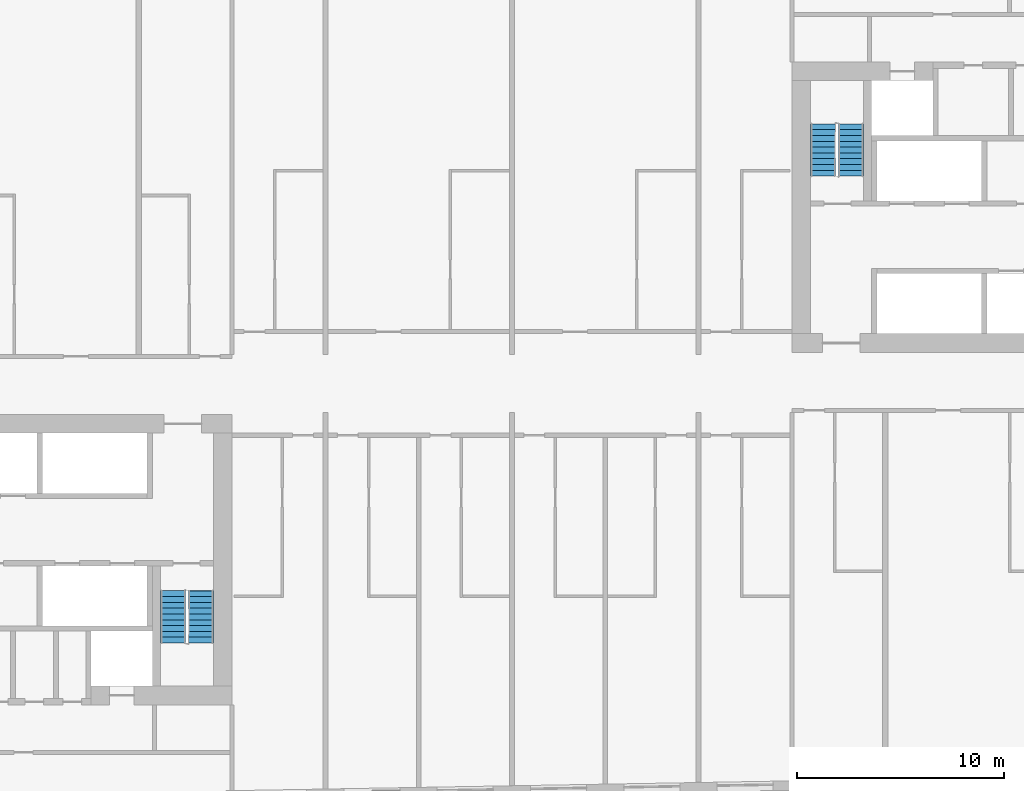
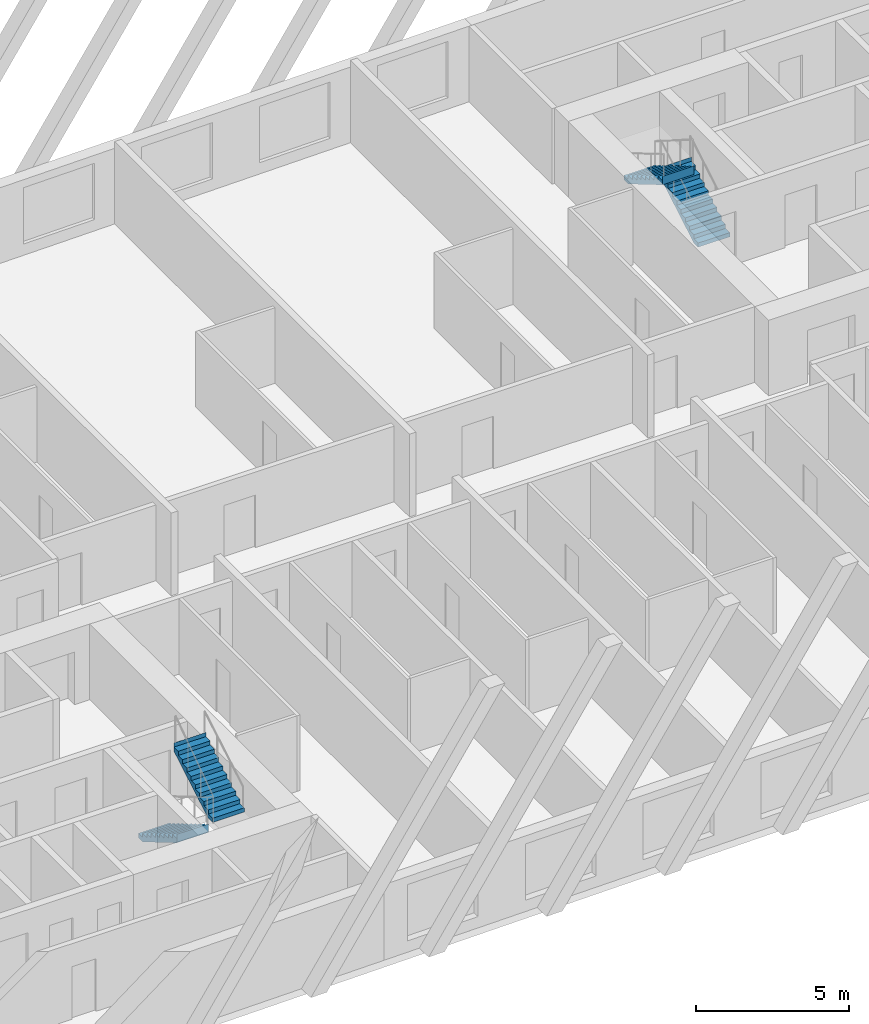
# One storey, part 9 of 12: 4 stair flights, 2 elements without a shape of their own.
"""IFC4 building model written with IfcOpenShell, lengths in metres."""

from ifc_helpers import new_model, si_unit, direction, frame, origin, place, context, subcontext, project, spatial, faceted_brep, material, type_object, element, aggregate, save


model = new_model("IFC4")

# Units and contexts
model_context = context("Model", 3, precision=1e-05, world=origin(), true_north=direction((0.0, 1.0)))
body_context = subcontext(model_context, "Body", "Model", "MODEL_VIEW")
ifc_project = project(units=[si_unit("LENGTHUNIT", "METRE"), si_unit("AREAUNIT", "SQUARE_METRE"), si_unit("VOLUMEUNIT", "CUBIC_METRE"), si_unit("PLANEANGLEUNIT", "RADIAN"), si_unit("MASSUNIT", "GRAM", prefix="KILO")], contexts=[model_context])

# Site, building, storey
site_placement = place(None, origin())
site = spatial("IfcSite", under=ifc_project, at=site_placement, CompositionType="ELEMENT")
building_placement = place(site_placement, origin())
building = spatial("IfcBuilding", under=site, at=building_placement, Name="Kajstack Hotel Tower", CompositionType="ELEMENT")
storey_placement = place(building_placement, frame((0.0, 0.0, 247.39990234375)))
storey = spatial("IfcBuildingStorey", under=building, at=storey_placement, Name="L61", CompositionType="ELEMENT", Elevation=247.39990234375)

# Stair, stair flights
ifc_material = material(Name="Concrete C40/50", Category="concrete")
stair_type = type_object("IfcStairType", Name="Exit stair 1200", PredefinedType="HALF_TURN_STAIR", material=ifc_material)
stair_1_placement = place(storey_placement, origin())
stair_1 = element("IfcStair", 1, at=stair_1_placement, inside=storey, type_object=stair_type, Name="L61 stair W2", PredefinedType="HALF_TURN_STAIR")
stair_flight_type = type_object("IfcStairFlightType", Name="Exit stair flight 1200", PredefinedType="STRAIGHT", material=ifc_material)
stair_flight_1_placement = place(storey_placement, frame((-16.35009765625, -10.0, 0.0), z_axis=(0.0, 0.0, 1.0), x_axis=(0.0, -1.0, 0.0)))
stair_flight_1 = element("IfcStairFlight", 2, at=stair_flight_1_placement, type_object=stair_flight_type, Name="W2 flight 1", NumberOfRisers=10, NumberOfTreads=9, PredefinedType="STRAIGHT", RiserHeight=0.165, TreadLength=0.28, context=body_context, shape_type="Brep", body=[
    faceted_brep([(0.295654296875, -0.60009765625, 0.0), (2.5205078125, -0.60009765625, 1.31103515625), (2.5205078125, -0.60009765625, 1.64990234375), (2.52001953125, -0.60009765625, 1.64990234375), (2.52001953125, -0.60009765625, 1.485107421875), (2.239990234375, -0.60009765625, 1.485107421875), (2.239990234375, -0.60009765625, 1.320068359375), (1.9599609375, -0.60009765625, 1.320068359375), (1.9599609375, -0.60009765625, 1.155029296875), (1.679931640625, -0.60009765625, 1.155029296875), (1.679931640625, -0.60009765625, 0.989990234375), (1.39990234375, -0.60009765625, 0.989990234375), (1.39990234375, -0.60009765625, 0.824951171875), (1.1201171875, -0.60009765625, 0.824951171875), (1.1201171875, -0.60009765625, 0.659912109375), (0.840087890625, -0.60009765625, 0.659912109375), (0.840087890625, -0.60009765625, 0.4951171875), (0.56005859375, -0.60009765625, 0.4951171875), (0.56005859375, -0.60009765625, 0.330078125), (0.280029296875, -0.60009765625, 0.330078125), (0.280029296875, -0.60009765625, 0.1650390625), (-0.00048828125, -0.60009765625, 0.1650390625), (-0.00048828125, -0.60009765625, 0.0), (-0.00048828125, 0.60009765625, 0.0), (-0.00048828125, 0.60009765625, 0.1650390625), (0.280029296875, 0.60009765625, 0.1650390625), (0.280029296875, 0.60009765625, 0.330078125), (0.56005859375, 0.60009765625, 0.330078125), (0.56005859375, 0.60009765625, 0.4951171875), (0.840087890625, 0.60009765625, 0.4951171875), (0.840087890625, 0.60009765625, 0.659912109375), (1.1201171875, 0.60009765625, 0.659912109375), (1.1201171875, 0.60009765625, 0.824951171875), (1.39990234375, 0.60009765625, 0.824951171875), (1.39990234375, 0.60009765625, 0.989990234375), (1.679931640625, 0.60009765625, 0.989990234375), (1.679931640625, 0.60009765625, 1.155029296875), (1.9599609375, 0.60009765625, 1.155029296875), (1.9599609375, 0.60009765625, 1.320068359375), (2.239990234375, 0.60009765625, 1.320068359375), (2.239990234375, 0.60009765625, 1.485107421875), (2.52001953125, 0.60009765625, 1.485107421875), (2.52001953125, 0.60009765625, 1.64990234375), (2.5205078125, 0.60009765625, 1.64990234375), (2.5205078125, 0.60009765625, 1.31103515625), (0.295654296875, 0.60009765625, 0.0), (-0.00048828125, -0.300048828125, 0.1650390625), (-0.00048828125, 0.0, 0.1650390625), (-0.00048828125, 0.300048828125, 0.1650390625), (-0.00048828125, 0.300048828125, 0.0), (-0.00048828125, 0.0, 0.0), (-0.00048828125, -0.300048828125, 0.0), (0.280029296875, -0.300048828125, 0.1650390625), (0.280029296875, 0.0, 0.1650390625), (0.280029296875, 0.300048828125, 0.1650390625), (0.280029296875, -0.300048828125, 0.330078125), (0.280029296875, 0.0, 0.330078125), (0.280029296875, 0.300048828125, 0.330078125), (0.56005859375, -0.300048828125, 0.330078125), (0.56005859375, 0.0, 0.330078125), (0.56005859375, 0.300048828125, 0.330078125), (0.56005859375, -0.300048828125, 0.4951171875), (0.56005859375, 0.0, 0.4951171875), (0.56005859375, 0.300048828125, 0.4951171875), (0.840087890625, -0.300048828125, 0.4951171875), (0.840087890625, 0.0, 0.4951171875), (0.840087890625, 0.300048828125, 0.4951171875), (0.840087890625, -0.300048828125, 0.659912109375), (0.840087890625, 0.0, 0.659912109375), (0.840087890625, 0.300048828125, 0.659912109375), (1.1201171875, -0.300048828125, 0.659912109375), (1.1201171875, 0.0, 0.659912109375), (1.1201171875, 0.300048828125, 0.659912109375), (1.1201171875, -0.300048828125, 0.824951171875), (1.1201171875, 0.0, 0.824951171875), (1.1201171875, 0.300048828125, 0.824951171875), (1.39990234375, -0.300048828125, 0.824951171875), (1.39990234375, 0.0, 0.824951171875), (1.39990234375, 0.300048828125, 0.824951171875), (1.39990234375, -0.300048828125, 0.989990234375), (1.39990234375, 0.0, 0.989990234375), (1.39990234375, 0.300048828125, 0.989990234375), (1.679931640625, -0.300048828125, 0.989990234375), (1.679931640625, 0.0, 0.989990234375), (1.679931640625, 0.300048828125, 0.989990234375), (1.679931640625, -0.300048828125, 1.155029296875), (1.679931640625, 0.0, 1.155029296875), (1.679931640625, 0.300048828125, 1.155029296875), (1.9599609375, -0.300048828125, 1.155029296875), (1.9599609375, 0.0, 1.155029296875), (1.9599609375, 0.300048828125, 1.155029296875), (1.9599609375, -0.300048828125, 1.320068359375), (1.9599609375, 0.0, 1.320068359375), (1.9599609375, 0.300048828125, 1.320068359375), (2.239990234375, -0.300048828125, 1.320068359375), (2.239990234375, 0.0, 1.320068359375), (2.239990234375, 0.300048828125, 1.320068359375), (2.239990234375, -0.300048828125, 1.485107421875), (2.239990234375, 0.0, 1.485107421875), (2.239990234375, 0.300048828125, 1.485107421875), (2.52001953125, -0.300048828125, 1.485107421875), (2.52001953125, 0.0, 1.485107421875), (2.52001953125, 0.300048828125, 1.485107421875), (2.52001953125, -0.300048828125, 1.64990234375), (2.52001953125, 0.0, 1.64990234375), (2.52001953125, 0.300048828125, 1.64990234375), (2.5205078125, -0.300048828125, 1.64990234375), (2.5205078125, 0.0, 1.64990234375), (2.5205078125, 0.300048828125, 1.64990234375), (2.5205078125, -0.300048828125, 1.31103515625), (2.5205078125, 0.0, 1.31103515625), (2.5205078125, 0.300048828125, 1.31103515625), (0.295654296875, -0.300048828125, 0.0), (0.295654296875, 0.0, 0.0), (0.295654296875, 0.300048828125, 0.0)], [[[0, 1, 2, 3, 4, 5, 6, 7, 8, 9, 10, 11, 12, 13, 14, 15, 16, 17, 18, 19, 20, 21, 22]], [[23, 24, 25, 26, 27, 28, 29, 30, 31, 32, 33, 34, 35, 36, 37, 38, 39, 40, 41, 42, 43, 44, 45]], [[21, 46, 47, 48, 24, 23, 49, 50, 51, 22]], [[20, 52, 53, 54, 25, 24, 48, 47, 46, 21]], [[19, 55, 56, 57, 26, 25, 54, 53, 52, 20]], [[18, 58, 59, 60, 27, 26, 57, 56, 55, 19]], [[17, 61, 62, 63, 28, 27, 60, 59, 58, 18]], [[16, 64, 65, 66, 29, 28, 63, 62, 61, 17]], [[15, 67, 68, 69, 30, 29, 66, 65, 64, 16]], [[14, 70, 71, 72, 31, 30, 69, 68, 67, 15]], [[13, 73, 74, 75, 32, 31, 72, 71, 70, 14]], [[12, 76, 77, 78, 33, 32, 75, 74, 73, 13]], [[11, 79, 80, 81, 34, 33, 78, 77, 76, 12]], [[10, 82, 83, 84, 35, 34, 81, 80, 79, 11]], [[9, 85, 86, 87, 36, 35, 84, 83, 82, 10]], [[8, 88, 89, 90, 37, 36, 87, 86, 85, 9]], [[7, 91, 92, 93, 38, 37, 90, 89, 88, 8]], [[6, 94, 95, 96, 39, 38, 93, 92, 91, 7]], [[5, 97, 98, 99, 40, 39, 96, 95, 94, 6]], [[4, 100, 101, 102, 41, 40, 99, 98, 97, 5]], [[3, 103, 104, 105, 42, 41, 102, 101, 100, 4]], [[2, 106, 107, 108, 43, 42, 105, 104, 103, 3]], [[1, 109, 110, 111, 44, 43, 108, 107, 106, 2]], [[0, 112, 113, 114, 45, 44, 111, 110, 109, 1]], [[22, 51, 50, 49, 23, 45, 114, 113, 112, 0]]]),
])
stair_flight_2_placement = place(storey_placement, frame((-15.0, -12.52001953125, 1.650146484375), z_axis=(0.0, 0.0, 1.0), x_axis=(0.0, 1.0, 0.0)))
stair_flight_2 = element("IfcStairFlight", 3, at=stair_flight_2_placement, type_object=stair_flight_type, Name="W2 flight 2", NumberOfRisers=10, NumberOfTreads=9, PredefinedType="STRAIGHT", RiserHeight=0.165, TreadLength=0.28, context=body_context, shape_type="Brep", body=[
    faceted_brep([(0.295654296875, -0.60009765625, 0.0), (2.5205078125, -0.60009765625, 1.31103515625), (2.5205078125, -0.60009765625, 1.64990234375), (2.52001953125, -0.60009765625, 1.64990234375), (2.52001953125, -0.60009765625, 1.485107421875), (2.239990234375, -0.60009765625, 1.485107421875), (2.239990234375, -0.60009765625, 1.320068359375), (1.9599609375, -0.60009765625, 1.320068359375), (1.9599609375, -0.60009765625, 1.155029296875), (1.679931640625, -0.60009765625, 1.155029296875), (1.679931640625, -0.60009765625, 0.989990234375), (1.39990234375, -0.60009765625, 0.989990234375), (1.39990234375, -0.60009765625, 0.824951171875), (1.1201171875, -0.60009765625, 0.824951171875), (1.1201171875, -0.60009765625, 0.659912109375), (0.840087890625, -0.60009765625, 0.659912109375), (0.840087890625, -0.60009765625, 0.4951171875), (0.56005859375, -0.60009765625, 0.4951171875), (0.56005859375, -0.60009765625, 0.330078125), (0.280029296875, -0.60009765625, 0.330078125), (0.280029296875, -0.60009765625, 0.1650390625), (-0.00048828125, -0.60009765625, 0.1650390625), (-0.00048828125, -0.60009765625, 0.0), (-0.00048828125, 0.60009765625, 0.0), (-0.00048828125, 0.60009765625, 0.1650390625), (0.280029296875, 0.60009765625, 0.1650390625), (0.280029296875, 0.60009765625, 0.330078125), (0.56005859375, 0.60009765625, 0.330078125), (0.56005859375, 0.60009765625, 0.4951171875), (0.840087890625, 0.60009765625, 0.4951171875), (0.840087890625, 0.60009765625, 0.659912109375), (1.1201171875, 0.60009765625, 0.659912109375), (1.1201171875, 0.60009765625, 0.824951171875), (1.39990234375, 0.60009765625, 0.824951171875), (1.39990234375, 0.60009765625, 0.989990234375), (1.679931640625, 0.60009765625, 0.989990234375), (1.679931640625, 0.60009765625, 1.155029296875), (1.9599609375, 0.60009765625, 1.155029296875), (1.9599609375, 0.60009765625, 1.320068359375), (2.239990234375, 0.60009765625, 1.320068359375), (2.239990234375, 0.60009765625, 1.485107421875), (2.52001953125, 0.60009765625, 1.485107421875), (2.52001953125, 0.60009765625, 1.64990234375), (2.5205078125, 0.60009765625, 1.64990234375), (2.5205078125, 0.60009765625, 1.31103515625), (0.295654296875, 0.60009765625, 0.0), (-0.00048828125, -0.300048828125, 0.1650390625), (-0.00048828125, 0.0, 0.1650390625), (-0.00048828125, 0.300048828125, 0.1650390625), (-0.00048828125, 0.300048828125, 0.0), (-0.00048828125, 0.0, 0.0), (-0.00048828125, -0.300048828125, 0.0), (0.280029296875, -0.300048828125, 0.1650390625), (0.280029296875, 0.0, 0.1650390625), (0.280029296875, 0.300048828125, 0.1650390625), (0.280029296875, -0.300048828125, 0.330078125), (0.280029296875, 0.0, 0.330078125), (0.280029296875, 0.300048828125, 0.330078125), (0.56005859375, -0.300048828125, 0.330078125), (0.56005859375, 0.0, 0.330078125), (0.56005859375, 0.300048828125, 0.330078125), (0.56005859375, -0.300048828125, 0.4951171875), (0.56005859375, 0.0, 0.4951171875), (0.56005859375, 0.300048828125, 0.4951171875), (0.840087890625, -0.300048828125, 0.4951171875), (0.840087890625, 0.0, 0.4951171875), (0.840087890625, 0.300048828125, 0.4951171875), (0.840087890625, -0.300048828125, 0.659912109375), (0.840087890625, 0.0, 0.659912109375), (0.840087890625, 0.300048828125, 0.659912109375), (1.1201171875, -0.300048828125, 0.659912109375), (1.1201171875, 0.0, 0.659912109375), (1.1201171875, 0.300048828125, 0.659912109375), (1.1201171875, -0.300048828125, 0.824951171875), (1.1201171875, 0.0, 0.824951171875), (1.1201171875, 0.300048828125, 0.824951171875), (1.39990234375, -0.300048828125, 0.824951171875), (1.39990234375, 0.0, 0.824951171875), (1.39990234375, 0.300048828125, 0.824951171875), (1.39990234375, -0.300048828125, 0.989990234375), (1.39990234375, 0.0, 0.989990234375), (1.39990234375, 0.300048828125, 0.989990234375), (1.679931640625, -0.300048828125, 0.989990234375), (1.679931640625, 0.0, 0.989990234375), (1.679931640625, 0.300048828125, 0.989990234375), (1.679931640625, -0.300048828125, 1.155029296875), (1.679931640625, 0.0, 1.155029296875), (1.679931640625, 0.300048828125, 1.155029296875), (1.9599609375, -0.300048828125, 1.155029296875), (1.9599609375, 0.0, 1.155029296875), (1.9599609375, 0.300048828125, 1.155029296875), (1.9599609375, -0.300048828125, 1.320068359375), (1.9599609375, 0.0, 1.320068359375), (1.9599609375, 0.300048828125, 1.320068359375), (2.239990234375, -0.300048828125, 1.320068359375), (2.239990234375, 0.0, 1.320068359375), (2.239990234375, 0.300048828125, 1.320068359375), (2.239990234375, -0.300048828125, 1.485107421875), (2.239990234375, 0.0, 1.485107421875), (2.239990234375, 0.300048828125, 1.485107421875), (2.52001953125, -0.300048828125, 1.485107421875), (2.52001953125, 0.0, 1.485107421875), (2.52001953125, 0.300048828125, 1.485107421875), (2.52001953125, -0.300048828125, 1.64990234375), (2.52001953125, 0.0, 1.64990234375), (2.52001953125, 0.300048828125, 1.64990234375), (2.5205078125, -0.300048828125, 1.64990234375), (2.5205078125, 0.0, 1.64990234375), (2.5205078125, 0.300048828125, 1.64990234375), (2.5205078125, -0.300048828125, 1.31103515625), (2.5205078125, 0.0, 1.31103515625), (2.5205078125, 0.300048828125, 1.31103515625), (0.295654296875, -0.300048828125, 0.0), (0.295654296875, 0.0, 0.0), (0.295654296875, 0.300048828125, 0.0)], [[[0, 1, 2, 3, 4, 5, 6, 7, 8, 9, 10, 11, 12, 13, 14, 15, 16, 17, 18, 19, 20, 21, 22]], [[23, 24, 25, 26, 27, 28, 29, 30, 31, 32, 33, 34, 35, 36, 37, 38, 39, 40, 41, 42, 43, 44, 45]], [[21, 46, 47, 48, 24, 23, 49, 50, 51, 22]], [[20, 52, 53, 54, 25, 24, 48, 47, 46, 21]], [[19, 55, 56, 57, 26, 25, 54, 53, 52, 20]], [[18, 58, 59, 60, 27, 26, 57, 56, 55, 19]], [[17, 61, 62, 63, 28, 27, 60, 59, 58, 18]], [[16, 64, 65, 66, 29, 28, 63, 62, 61, 17]], [[15, 67, 68, 69, 30, 29, 66, 65, 64, 16]], [[14, 70, 71, 72, 31, 30, 69, 68, 67, 15]], [[13, 73, 74, 75, 32, 31, 72, 71, 70, 14]], [[12, 76, 77, 78, 33, 32, 75, 74, 73, 13]], [[11, 79, 80, 81, 34, 33, 78, 77, 76, 12]], [[10, 82, 83, 84, 35, 34, 81, 80, 79, 11]], [[9, 85, 86, 87, 36, 35, 84, 83, 82, 10]], [[8, 88, 89, 90, 37, 36, 87, 86, 85, 9]], [[7, 91, 92, 93, 38, 37, 90, 89, 88, 8]], [[6, 94, 95, 96, 39, 38, 93, 92, 91, 7]], [[5, 97, 98, 99, 40, 39, 96, 95, 94, 6]], [[4, 100, 101, 102, 41, 40, 99, 98, 97, 5]], [[3, 103, 104, 105, 42, 41, 102, 101, 100, 4]], [[2, 106, 107, 108, 43, 42, 105, 104, 103, 3]], [[1, 109, 110, 111, 44, 43, 108, 107, 106, 2]], [[0, 112, 113, 114, 45, 44, 111, 110, 109, 1]], [[22, 51, 50, 49, 23, 45, 114, 113, 112, 0]]]),
])
aggregate(stair_1, [stair_flight_1, stair_flight_2])

stair_2_placement = place(storey_placement, origin())
stair_2 = element("IfcStair", 4, at=stair_2_placement, inside=storey, type_object=stair_type, Name="L61 stair E2", PredefinedType="HALF_TURN_STAIR")
stair_flight_3_placement = place(storey_placement, frame((16.35009765625, 10.0, 0.0), z_axis=(0.0, 0.0, 1.0), x_axis=(0.0, 1.0, 0.0)))
stair_flight_3 = element("IfcStairFlight", 5, at=stair_flight_3_placement, type_object=stair_flight_type, Name="E2 flight 1", NumberOfRisers=10, NumberOfTreads=9, PredefinedType="STRAIGHT", RiserHeight=0.165, TreadLength=0.28, context=body_context, shape_type="Brep", body=[
    faceted_brep([(0.295654296875, -0.60009765625, 0.0), (2.5205078125, -0.60009765625, 1.31103515625), (2.5205078125, -0.60009765625, 1.64990234375), (2.52001953125, -0.60009765625, 1.64990234375), (2.52001953125, -0.60009765625, 1.485107421875), (2.239990234375, -0.60009765625, 1.485107421875), (2.239990234375, -0.60009765625, 1.320068359375), (1.9599609375, -0.60009765625, 1.320068359375), (1.9599609375, -0.60009765625, 1.155029296875), (1.679931640625, -0.60009765625, 1.155029296875), (1.679931640625, -0.60009765625, 0.989990234375), (1.39990234375, -0.60009765625, 0.989990234375), (1.39990234375, -0.60009765625, 0.824951171875), (1.1201171875, -0.60009765625, 0.824951171875), (1.1201171875, -0.60009765625, 0.659912109375), (0.840087890625, -0.60009765625, 0.659912109375), (0.840087890625, -0.60009765625, 0.4951171875), (0.56005859375, -0.60009765625, 0.4951171875), (0.56005859375, -0.60009765625, 0.330078125), (0.280029296875, -0.60009765625, 0.330078125), (0.280029296875, -0.60009765625, 0.1650390625), (-0.00048828125, -0.60009765625, 0.1650390625), (-0.00048828125, -0.60009765625, 0.0), (-0.00048828125, 0.60009765625, 0.0), (-0.00048828125, 0.60009765625, 0.1650390625), (0.280029296875, 0.60009765625, 0.1650390625), (0.280029296875, 0.60009765625, 0.330078125), (0.56005859375, 0.60009765625, 0.330078125), (0.56005859375, 0.60009765625, 0.4951171875), (0.840087890625, 0.60009765625, 0.4951171875), (0.840087890625, 0.60009765625, 0.659912109375), (1.1201171875, 0.60009765625, 0.659912109375), (1.1201171875, 0.60009765625, 0.824951171875), (1.39990234375, 0.60009765625, 0.824951171875), (1.39990234375, 0.60009765625, 0.989990234375), (1.679931640625, 0.60009765625, 0.989990234375), (1.679931640625, 0.60009765625, 1.155029296875), (1.9599609375, 0.60009765625, 1.155029296875), (1.9599609375, 0.60009765625, 1.320068359375), (2.239990234375, 0.60009765625, 1.320068359375), (2.239990234375, 0.60009765625, 1.485107421875), (2.52001953125, 0.60009765625, 1.485107421875), (2.52001953125, 0.60009765625, 1.64990234375), (2.5205078125, 0.60009765625, 1.64990234375), (2.5205078125, 0.60009765625, 1.31103515625), (0.295654296875, 0.60009765625, 0.0), (-0.00048828125, -0.300048828125, 0.1650390625), (-0.00048828125, 0.0, 0.1650390625), (-0.00048828125, 0.300048828125, 0.1650390625), (-0.00048828125, 0.300048828125, 0.0), (-0.00048828125, 0.0, 0.0), (-0.00048828125, -0.300048828125, 0.0), (0.280029296875, -0.300048828125, 0.1650390625), (0.280029296875, 0.0, 0.1650390625), (0.280029296875, 0.300048828125, 0.1650390625), (0.280029296875, -0.300048828125, 0.330078125), (0.280029296875, 0.0, 0.330078125), (0.280029296875, 0.300048828125, 0.330078125), (0.56005859375, -0.300048828125, 0.330078125), (0.56005859375, 0.0, 0.330078125), (0.56005859375, 0.300048828125, 0.330078125), (0.56005859375, -0.300048828125, 0.4951171875), (0.56005859375, 0.0, 0.4951171875), (0.56005859375, 0.300048828125, 0.4951171875), (0.840087890625, -0.300048828125, 0.4951171875), (0.840087890625, 0.0, 0.4951171875), (0.840087890625, 0.300048828125, 0.4951171875), (0.840087890625, -0.300048828125, 0.659912109375), (0.840087890625, 0.0, 0.659912109375), (0.840087890625, 0.300048828125, 0.659912109375), (1.1201171875, -0.300048828125, 0.659912109375), (1.1201171875, 0.0, 0.659912109375), (1.1201171875, 0.300048828125, 0.659912109375), (1.1201171875, -0.300048828125, 0.824951171875), (1.1201171875, 0.0, 0.824951171875), (1.1201171875, 0.300048828125, 0.824951171875), (1.39990234375, -0.300048828125, 0.824951171875), (1.39990234375, 0.0, 0.824951171875), (1.39990234375, 0.300048828125, 0.824951171875), (1.39990234375, -0.300048828125, 0.989990234375), (1.39990234375, 0.0, 0.989990234375), (1.39990234375, 0.300048828125, 0.989990234375), (1.679931640625, -0.300048828125, 0.989990234375), (1.679931640625, 0.0, 0.989990234375), (1.679931640625, 0.300048828125, 0.989990234375), (1.679931640625, -0.300048828125, 1.155029296875), (1.679931640625, 0.0, 1.155029296875), (1.679931640625, 0.300048828125, 1.155029296875), (1.9599609375, -0.300048828125, 1.155029296875), (1.9599609375, 0.0, 1.155029296875), (1.9599609375, 0.300048828125, 1.155029296875), (1.9599609375, -0.300048828125, 1.320068359375), (1.9599609375, 0.0, 1.320068359375), (1.9599609375, 0.300048828125, 1.320068359375), (2.239990234375, -0.300048828125, 1.320068359375), (2.239990234375, 0.0, 1.320068359375), (2.239990234375, 0.300048828125, 1.320068359375), (2.239990234375, -0.300048828125, 1.485107421875), (2.239990234375, 0.0, 1.485107421875), (2.239990234375, 0.300048828125, 1.485107421875), (2.52001953125, -0.300048828125, 1.485107421875), (2.52001953125, 0.0, 1.485107421875), (2.52001953125, 0.300048828125, 1.485107421875), (2.52001953125, -0.300048828125, 1.64990234375), (2.52001953125, 0.0, 1.64990234375), (2.52001953125, 0.300048828125, 1.64990234375), (2.5205078125, -0.300048828125, 1.64990234375), (2.5205078125, 0.0, 1.64990234375), (2.5205078125, 0.300048828125, 1.64990234375), (2.5205078125, -0.300048828125, 1.31103515625), (2.5205078125, 0.0, 1.31103515625), (2.5205078125, 0.300048828125, 1.31103515625), (0.295654296875, -0.300048828125, 0.0), (0.295654296875, 0.0, 0.0), (0.295654296875, 0.300048828125, 0.0)], [[[0, 1, 2, 3, 4, 5, 6, 7, 8, 9, 10, 11, 12, 13, 14, 15, 16, 17, 18, 19, 20, 21, 22]], [[23, 24, 25, 26, 27, 28, 29, 30, 31, 32, 33, 34, 35, 36, 37, 38, 39, 40, 41, 42, 43, 44, 45]], [[21, 46, 47, 48, 24, 23, 49, 50, 51, 22]], [[20, 52, 53, 54, 25, 24, 48, 47, 46, 21]], [[19, 55, 56, 57, 26, 25, 54, 53, 52, 20]], [[18, 58, 59, 60, 27, 26, 57, 56, 55, 19]], [[17, 61, 62, 63, 28, 27, 60, 59, 58, 18]], [[16, 64, 65, 66, 29, 28, 63, 62, 61, 17]], [[15, 67, 68, 69, 30, 29, 66, 65, 64, 16]], [[14, 70, 71, 72, 31, 30, 69, 68, 67, 15]], [[13, 73, 74, 75, 32, 31, 72, 71, 70, 14]], [[12, 76, 77, 78, 33, 32, 75, 74, 73, 13]], [[11, 79, 80, 81, 34, 33, 78, 77, 76, 12]], [[10, 82, 83, 84, 35, 34, 81, 80, 79, 11]], [[9, 85, 86, 87, 36, 35, 84, 83, 82, 10]], [[8, 88, 89, 90, 37, 36, 87, 86, 85, 9]], [[7, 91, 92, 93, 38, 37, 90, 89, 88, 8]], [[6, 94, 95, 96, 39, 38, 93, 92, 91, 7]], [[5, 97, 98, 99, 40, 39, 96, 95, 94, 6]], [[4, 100, 101, 102, 41, 40, 99, 98, 97, 5]], [[3, 103, 104, 105, 42, 41, 102, 101, 100, 4]], [[2, 106, 107, 108, 43, 42, 105, 104, 103, 3]], [[1, 109, 110, 111, 44, 43, 108, 107, 106, 2]], [[0, 112, 113, 114, 45, 44, 111, 110, 109, 1]], [[22, 51, 50, 49, 23, 45, 114, 113, 112, 0]]]),
])
stair_flight_4_placement = place(storey_placement, frame((15.0, 12.52001953125, 1.650146484375), z_axis=(0.0, 0.0, 1.0), x_axis=(0.0, -1.0, 0.0)))
stair_flight_4 = element("IfcStairFlight", 6, at=stair_flight_4_placement, type_object=stair_flight_type, Name="E2 flight 2", NumberOfRisers=10, NumberOfTreads=9, PredefinedType="STRAIGHT", RiserHeight=0.165, TreadLength=0.28, context=body_context, shape_type="Brep", body=[
    faceted_brep([(0.295654296875, -0.60009765625, 0.0), (2.5205078125, -0.60009765625, 1.31103515625), (2.5205078125, -0.60009765625, 1.64990234375), (2.52001953125, -0.60009765625, 1.64990234375), (2.52001953125, -0.60009765625, 1.485107421875), (2.239990234375, -0.60009765625, 1.485107421875), (2.239990234375, -0.60009765625, 1.320068359375), (1.9599609375, -0.60009765625, 1.320068359375), (1.9599609375, -0.60009765625, 1.155029296875), (1.679931640625, -0.60009765625, 1.155029296875), (1.679931640625, -0.60009765625, 0.989990234375), (1.39990234375, -0.60009765625, 0.989990234375), (1.39990234375, -0.60009765625, 0.824951171875), (1.1201171875, -0.60009765625, 0.824951171875), (1.1201171875, -0.60009765625, 0.659912109375), (0.840087890625, -0.60009765625, 0.659912109375), (0.840087890625, -0.60009765625, 0.4951171875), (0.56005859375, -0.60009765625, 0.4951171875), (0.56005859375, -0.60009765625, 0.330078125), (0.280029296875, -0.60009765625, 0.330078125), (0.280029296875, -0.60009765625, 0.1650390625), (-0.00048828125, -0.60009765625, 0.1650390625), (-0.00048828125, -0.60009765625, 0.0), (-0.00048828125, 0.60009765625, 0.0), (-0.00048828125, 0.60009765625, 0.1650390625), (0.280029296875, 0.60009765625, 0.1650390625), (0.280029296875, 0.60009765625, 0.330078125), (0.56005859375, 0.60009765625, 0.330078125), (0.56005859375, 0.60009765625, 0.4951171875), (0.840087890625, 0.60009765625, 0.4951171875), (0.840087890625, 0.60009765625, 0.659912109375), (1.1201171875, 0.60009765625, 0.659912109375), (1.1201171875, 0.60009765625, 0.824951171875), (1.39990234375, 0.60009765625, 0.824951171875), (1.39990234375, 0.60009765625, 0.989990234375), (1.679931640625, 0.60009765625, 0.989990234375), (1.679931640625, 0.60009765625, 1.155029296875), (1.9599609375, 0.60009765625, 1.155029296875), (1.9599609375, 0.60009765625, 1.320068359375), (2.239990234375, 0.60009765625, 1.320068359375), (2.239990234375, 0.60009765625, 1.485107421875), (2.52001953125, 0.60009765625, 1.485107421875), (2.52001953125, 0.60009765625, 1.64990234375), (2.5205078125, 0.60009765625, 1.64990234375), (2.5205078125, 0.60009765625, 1.31103515625), (0.295654296875, 0.60009765625, 0.0), (-0.00048828125, -0.300048828125, 0.1650390625), (-0.00048828125, 0.0, 0.1650390625), (-0.00048828125, 0.300048828125, 0.1650390625), (-0.00048828125, 0.300048828125, 0.0), (-0.00048828125, 0.0, 0.0), (-0.00048828125, -0.300048828125, 0.0), (0.280029296875, -0.300048828125, 0.1650390625), (0.280029296875, 0.0, 0.1650390625), (0.280029296875, 0.300048828125, 0.1650390625), (0.280029296875, -0.300048828125, 0.330078125), (0.280029296875, 0.0, 0.330078125), (0.280029296875, 0.300048828125, 0.330078125), (0.56005859375, -0.300048828125, 0.330078125), (0.56005859375, 0.0, 0.330078125), (0.56005859375, 0.300048828125, 0.330078125), (0.56005859375, -0.300048828125, 0.4951171875), (0.56005859375, 0.0, 0.4951171875), (0.56005859375, 0.300048828125, 0.4951171875), (0.840087890625, -0.300048828125, 0.4951171875), (0.840087890625, 0.0, 0.4951171875), (0.840087890625, 0.300048828125, 0.4951171875), (0.840087890625, -0.300048828125, 0.659912109375), (0.840087890625, 0.0, 0.659912109375), (0.840087890625, 0.300048828125, 0.659912109375), (1.1201171875, -0.300048828125, 0.659912109375), (1.1201171875, 0.0, 0.659912109375), (1.1201171875, 0.300048828125, 0.659912109375), (1.1201171875, -0.300048828125, 0.824951171875), (1.1201171875, 0.0, 0.824951171875), (1.1201171875, 0.300048828125, 0.824951171875), (1.39990234375, -0.300048828125, 0.824951171875), (1.39990234375, 0.0, 0.824951171875), (1.39990234375, 0.300048828125, 0.824951171875), (1.39990234375, -0.300048828125, 0.989990234375), (1.39990234375, 0.0, 0.989990234375), (1.39990234375, 0.300048828125, 0.989990234375), (1.679931640625, -0.300048828125, 0.989990234375), (1.679931640625, 0.0, 0.989990234375), (1.679931640625, 0.300048828125, 0.989990234375), (1.679931640625, -0.300048828125, 1.155029296875), (1.679931640625, 0.0, 1.155029296875), (1.679931640625, 0.300048828125, 1.155029296875), (1.9599609375, -0.300048828125, 1.155029296875), (1.9599609375, 0.0, 1.155029296875), (1.9599609375, 0.300048828125, 1.155029296875), (1.9599609375, -0.300048828125, 1.320068359375), (1.9599609375, 0.0, 1.320068359375), (1.9599609375, 0.300048828125, 1.320068359375), (2.239990234375, -0.300048828125, 1.320068359375), (2.239990234375, 0.0, 1.320068359375), (2.239990234375, 0.300048828125, 1.320068359375), (2.239990234375, -0.300048828125, 1.485107421875), (2.239990234375, 0.0, 1.485107421875), (2.239990234375, 0.300048828125, 1.485107421875), (2.52001953125, -0.300048828125, 1.485107421875), (2.52001953125, 0.0, 1.485107421875), (2.52001953125, 0.300048828125, 1.485107421875), (2.52001953125, -0.300048828125, 1.64990234375), (2.52001953125, 0.0, 1.64990234375), (2.52001953125, 0.300048828125, 1.64990234375), (2.5205078125, -0.300048828125, 1.64990234375), (2.5205078125, 0.0, 1.64990234375), (2.5205078125, 0.300048828125, 1.64990234375), (2.5205078125, -0.300048828125, 1.31103515625), (2.5205078125, 0.0, 1.31103515625), (2.5205078125, 0.300048828125, 1.31103515625), (0.295654296875, -0.300048828125, 0.0), (0.295654296875, 0.0, 0.0), (0.295654296875, 0.300048828125, 0.0)], [[[0, 1, 2, 3, 4, 5, 6, 7, 8, 9, 10, 11, 12, 13, 14, 15, 16, 17, 18, 19, 20, 21, 22]], [[23, 24, 25, 26, 27, 28, 29, 30, 31, 32, 33, 34, 35, 36, 37, 38, 39, 40, 41, 42, 43, 44, 45]], [[21, 46, 47, 48, 24, 23, 49, 50, 51, 22]], [[20, 52, 53, 54, 25, 24, 48, 47, 46, 21]], [[19, 55, 56, 57, 26, 25, 54, 53, 52, 20]], [[18, 58, 59, 60, 27, 26, 57, 56, 55, 19]], [[17, 61, 62, 63, 28, 27, 60, 59, 58, 18]], [[16, 64, 65, 66, 29, 28, 63, 62, 61, 17]], [[15, 67, 68, 69, 30, 29, 66, 65, 64, 16]], [[14, 70, 71, 72, 31, 30, 69, 68, 67, 15]], [[13, 73, 74, 75, 32, 31, 72, 71, 70, 14]], [[12, 76, 77, 78, 33, 32, 75, 74, 73, 13]], [[11, 79, 80, 81, 34, 33, 78, 77, 76, 12]], [[10, 82, 83, 84, 35, 34, 81, 80, 79, 11]], [[9, 85, 86, 87, 36, 35, 84, 83, 82, 10]], [[8, 88, 89, 90, 37, 36, 87, 86, 85, 9]], [[7, 91, 92, 93, 38, 37, 90, 89, 88, 8]], [[6, 94, 95, 96, 39, 38, 93, 92, 91, 7]], [[5, 97, 98, 99, 40, 39, 96, 95, 94, 6]], [[4, 100, 101, 102, 41, 40, 99, 98, 97, 5]], [[3, 103, 104, 105, 42, 41, 102, 101, 100, 4]], [[2, 106, 107, 108, 43, 42, 105, 104, 103, 3]], [[1, 109, 110, 111, 44, 43, 108, 107, 106, 2]], [[0, 112, 113, 114, 45, 44, 111, 110, 109, 1]], [[22, 51, 50, 49, 23, 45, 114, 113, 112, 0]]]),
])
aggregate(stair_2, [stair_flight_3, stair_flight_4])

save(model, "model.ifc")
